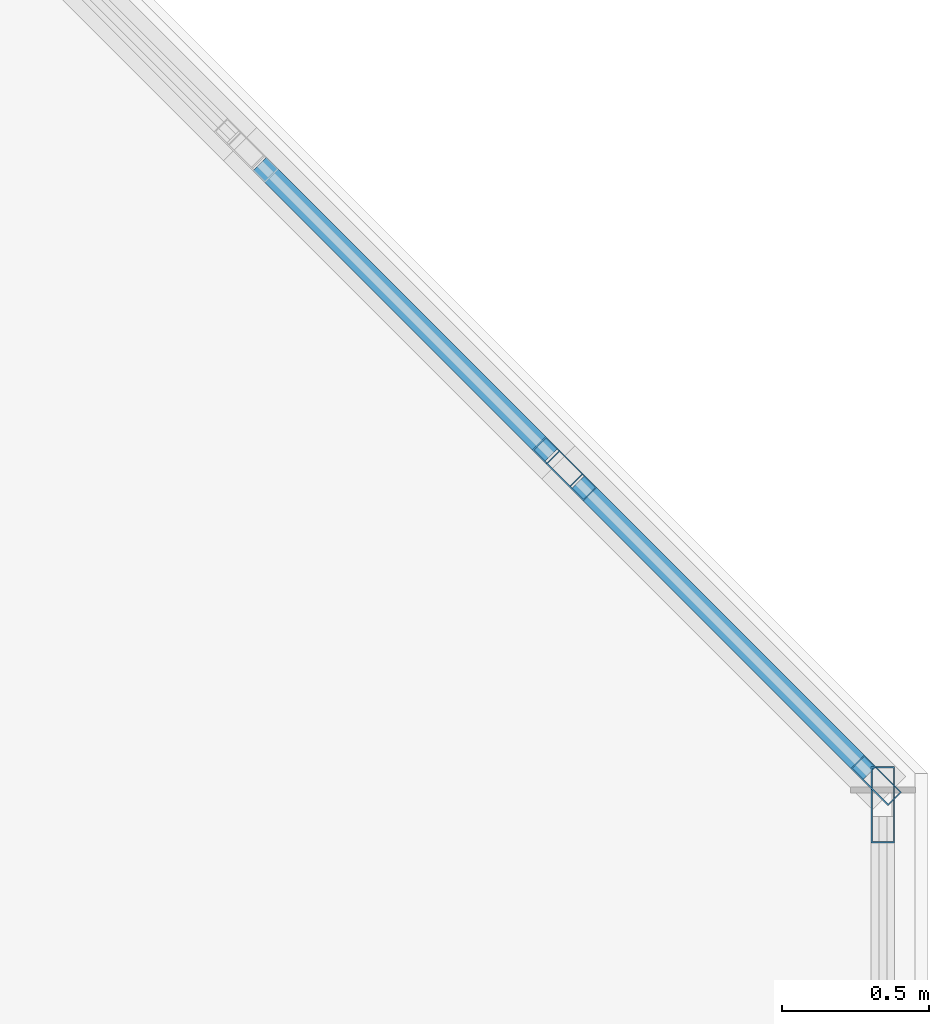
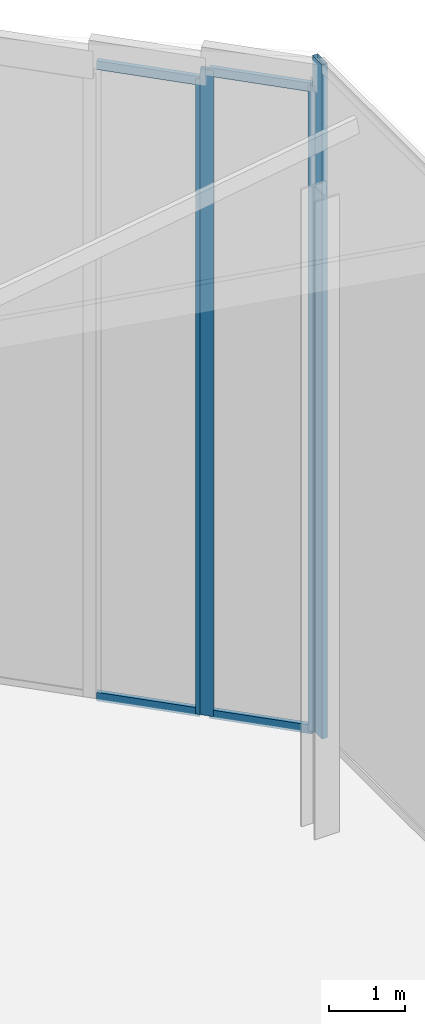
# One storey, part 20 of 30: 8 members, 3 elements without a shape of their own.
"""IFC4 building model written with IfcOpenShell, lengths in metres."""

from ifc_helpers import new_model, si_unit, direction, frame, origin, origin_2d, place, context, subcontext, project, spatial, hollow_rectangle, extrude, material, layer, layer_set, material_profile, profile_set, type_object, element, aggregate, save


model = new_model("IFC4")

# Units and contexts
model_context = context("Model", 3, precision=1e-05, world=origin(), true_north=direction((0.0, 1.0)))
body_context = subcontext(model_context, "Body", "Model", "MODEL_VIEW")
ifc_project = project(units=[si_unit("LENGTHUNIT", "METRE"), si_unit("AREAUNIT", "SQUARE_METRE"), si_unit("VOLUMEUNIT", "CUBIC_METRE"), si_unit("PLANEANGLEUNIT", "RADIAN"), si_unit("MASSUNIT", "GRAM", prefix="KILO")], contexts=[model_context])

# Site, building, storey
site_placement = place(None, origin())
site = spatial("IfcSite", under=ifc_project, at=site_placement, CompositionType="ELEMENT")
building_placement = place(site_placement, origin())
building = spatial("IfcBuilding", under=site, at=building_placement, Name="Tanjung Sevakor Pilgrim Tower", CompositionType="ELEMENT")
storey_placement = place(building_placement, frame((0.0, 0.0, 287.760009765625)))
storey = spatial("IfcBuildingStorey", under=building, at=storey_placement, Name="L80", CompositionType="ELEMENT", Elevation=287.760009765625)

# Curtain wall, members
ifc_material_1 = material(Name="Aluminium 6063-T6 and Low-E Glass", Category="aluminium")
ifc_layer_1 = layer(ifc_material_1, 0.179931640625)
ifc_layer_set_1 = layer_set([ifc_layer_1], Name="CW-SYS-CHAM")
curtain_wall_type_1 = type_object("IfcCurtainWallType", Name="CW-SYS-CHAM", PredefinedType="NOTDEFINED", material=ifc_layer_set_1)
curtain_wall_1_placement = place(storey_placement, origin())
curtain_wall_1 = element("IfcCurtainWall", 1, at=curtain_wall_1_placement, inside=storey, type_object=curtain_wall_type_1, Name="L80 Curtain Wall CW-CHM-L80-EAST-3B1", PredefinedType="NOTDEFINED")
ifc_material_2 = material(Name="Aluminium 6063-T6", Category="aluminium")
ifc_material_profile_1 = material_profile(ifc_material_2, hollow_rectangle(XDim=0.06494140625, YDim=0.179931640625, WallThickness=0.00390625, at=origin_2d()))
ifc_profile_set_1 = profile_set([ifc_material_profile_1], Name="Aluminium 6063-T6")
member_type_1 = type_object("IfcMemberType", Name="TYPE-CWM-1", PredefinedType="MULLION", material=ifc_profile_set_1)
member_1_placement = place(storey_placement, frame((99.067138671875, 50.577392578125, 0.0), z_axis=(0.0, 0.0, 1.0), x_axis=(-0.707106781187, -0.707106781187, 0.0)))
member_1 = element("IfcMember", 2, at=member_1_placement, type_object=member_type_1, Name="CW-CHM mullion 1", PredefinedType="MULLION", context=body_context, shape_type="SweptSolid", body=[
    extrude(hollow_rectangle(XDim=0.06494140625, YDim=0.179931640625, WallThickness=0.00390625, at=origin_2d()), origin(), (0.0, 0.0, 1.0), 10.372314453125),
])
member_2_placement = place(storey_placement, frame((98.029052734375, 51.615234375, 0.0), z_axis=(0.0, 0.0, 1.0), x_axis=(-0.707106781187, -0.707106781187, 0.0)))
member_2 = element("IfcMember", 3, at=member_2_placement, type_object=member_type_1, Name="CW-CHM mullion 2", PredefinedType="MULLION", context=body_context, shape_type="SweptSolid", body=[
    extrude(hollow_rectangle(XDim=0.06494140625, YDim=0.179931640625, WallThickness=0.00390625, at=origin_2d()), origin(), (0.0, 0.0, 1.0), 10.372314453125),
])

# Curtain wall, member
curtain_wall_2_placement = place(storey_placement, origin())
curtain_wall_2 = element("IfcCurtainWall", 4, at=curtain_wall_2_placement, inside=storey, type_object=curtain_wall_type_1, Name="L80 Curtain Wall CW-CHM-L80-EAST-3B2", PredefinedType="NOTDEFINED")
member_3_placement = place(storey_placement, frame((97.983154296875, 51.661376953125, 0.0), z_axis=(0.0, 0.0, 1.0), x_axis=(-0.707106781187, -0.707106781187, 0.0)))
member_3 = element("IfcMember", 5, at=member_3_placement, type_object=member_type_1, Name="CW-CHM mullion 1", PredefinedType="MULLION", context=body_context, shape_type="SweptSolid", body=[
    extrude(hollow_rectangle(XDim=0.06494140625, YDim=0.179931640625, WallThickness=0.00390625, at=origin_2d()), origin(), (0.0, 0.0, 1.0), 10.2021484375),
])

ifc_material_3 = material(Name="Aluminium 6063-T6 and Low-E Glass", Category="aluminium")
ifc_layer_2 = layer(ifc_material_3, 0.219970703125)
ifc_layer_set_2 = layer_set([ifc_layer_2], Name="CW-SYS-CRNE")
curtain_wall_type_2 = type_object("IfcCurtainWallType", Name="CW-SYS-CRNE", PredefinedType="NOTDEFINED", material=ifc_layer_set_2)
curtain_wall_3_placement = place(storey_placement, origin())
curtain_wall_3 = element("IfcCurtainWall", 6, at=curtain_wall_3_placement, inside=storey, type_object=curtain_wall_type_2, Name="L80 Curtain Wall CW-CRN-L80-EAST-2-1", PredefinedType="NOTDEFINED")
ifc_material_4 = material(Name="Aluminium 6063-T6", Category="aluminium")
ifc_material_profile_2 = material_profile(ifc_material_4, hollow_rectangle(XDim=0.080078125, YDim=0.260009765625, WallThickness=0.0048828125, at=origin_2d()))
ifc_profile_set_2 = profile_set([ifc_material_profile_2], Name="Aluminium 6063-T6")
member_type_2 = type_object("IfcMemberType", Name="TYPE-CWM-3", PredefinedType="MULLION", material=ifc_profile_set_2)
member_4_placement = place(storey_placement, frame((99.090087890625, 50.494384765625, 0.0), z_axis=(0.0, 0.0, 1.0), x_axis=(-1.0, 0.0, 0.0)))
member_4 = element("IfcMember", 7, at=member_4_placement, type_object=member_type_2, Name="CW-CRE mullion 8", PredefinedType="MULLION", context=body_context, shape_type="SweptSolid", body=[
    extrude(hollow_rectangle(XDim=0.080078125, YDim=0.260009765625, WallThickness=0.0048828125, at=origin_2d()), origin(), (0.0, 0.0, 1.0), 10.82275390625),
])
aggregate(curtain_wall_3, [member_4])

# Member
ifc_material_5 = material(Name="Aluminium 6063-T6", Category="aluminium")
ifc_material_profile_3 = material_profile(ifc_material_5, hollow_rectangle(XDim=0.06494140625, YDim=0.139892578125, WallThickness=0.00390625, at=origin_2d()))
ifc_profile_set_3 = profile_set([ifc_material_profile_3], Name="Aluminium 6063-T6")
member_type_3 = type_object("IfcMemberType", Name="TYPE-CWT-1", PredefinedType="USERDEFINED", material=ifc_profile_set_3)
member_5_placement = place(storey_placement, frame((99.0439453125, 50.600341796875, 0.032470703125), z_axis=(-0.707106781187, 0.707106781187, 0.0), x_axis=(-0.707106781187, -0.707106781187, 0.0)))
member_5 = element("IfcMember", 8, at=member_5_placement, type_object=member_type_3, Name="CW-CHM transom 1.1", ObjectType="TRANSOM", PredefinedType="USERDEFINED", context=body_context, shape_type="SweptSolid", body=[
    extrude(hollow_rectangle(XDim=0.06494140625, YDim=0.139892578125, WallThickness=0.00390625, at=origin_2d()), origin(), (0.0, 0.0, 1.0), 1.40283203125),
])

member_6_placement = place(storey_placement, frame((99.0439453125, 50.600341796875, 10.33984375), z_axis=(-0.707106781187, 0.707106781187, 0.0), x_axis=(-0.707106781187, -0.707106781187, 0.0)))
member_6 = element("IfcMember", 9, at=member_6_placement, type_object=member_type_3, Name="CW-CHM transom 1.2", ObjectType="TRANSOM", PredefinedType="USERDEFINED", context=body_context, shape_type="SweptSolid", body=[
    extrude(hollow_rectangle(XDim=0.06494140625, YDim=0.139892578125, WallThickness=0.00390625, at=origin_2d()), origin(), (0.0, 0.0, 1.0), 1.40283203125),
])

aggregate(curtain_wall_1, [member_1, member_2, member_5, member_6])

member_7_placement = place(storey_placement, frame((97.960205078125, 51.684326171875, 0.032470703125), z_axis=(-0.707106781187, 0.707106781187, 0.0), x_axis=(-0.707106781187, -0.707106781187, 0.0)))
member_7 = element("IfcMember", 10, at=member_7_placement, type_object=member_type_3, Name="CW-CHM transom 1.1", ObjectType="TRANSOM", PredefinedType="USERDEFINED", context=body_context, shape_type="SweptSolid", body=[
    extrude(hollow_rectangle(XDim=0.06494140625, YDim=0.139892578125, WallThickness=0.00390625, at=origin_2d()), origin(), (0.0, 0.0, 1.0), 1.40283203125),
])

member_8_placement = place(storey_placement, frame((97.960205078125, 51.684326171875, 10.169677734375), z_axis=(-0.707106781187, 0.707106781187, 0.0), x_axis=(-0.707106781187, -0.707106781187, 0.0)))
member_8 = element("IfcMember", 11, at=member_8_placement, type_object=member_type_3, Name="CW-CHM transom 1.2", ObjectType="TRANSOM", PredefinedType="USERDEFINED", context=body_context, shape_type="SweptSolid", body=[
    extrude(hollow_rectangle(XDim=0.06494140625, YDim=0.139892578125, WallThickness=0.00390625, at=origin_2d()), origin(), (0.0, 0.0, 1.0), 1.40283203125),
])

aggregate(curtain_wall_2, [member_3, member_7, member_8])

save(model, "model.ifc")
